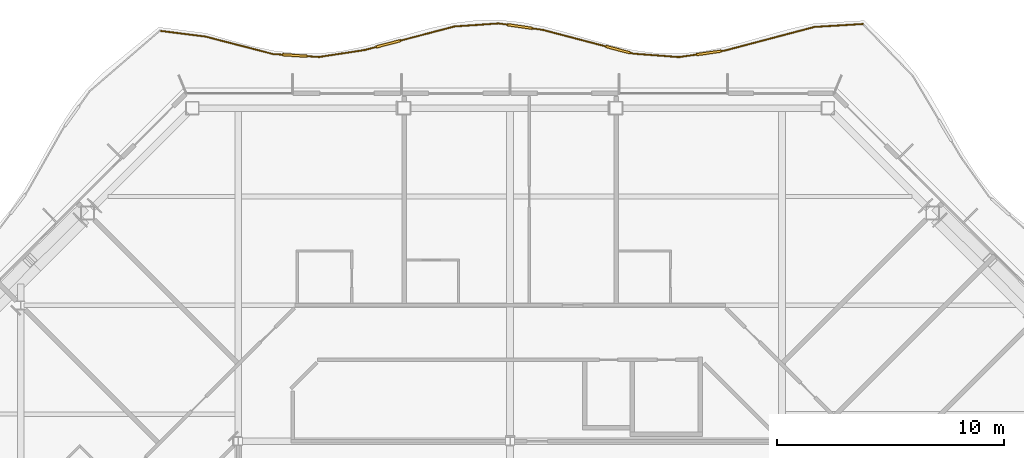
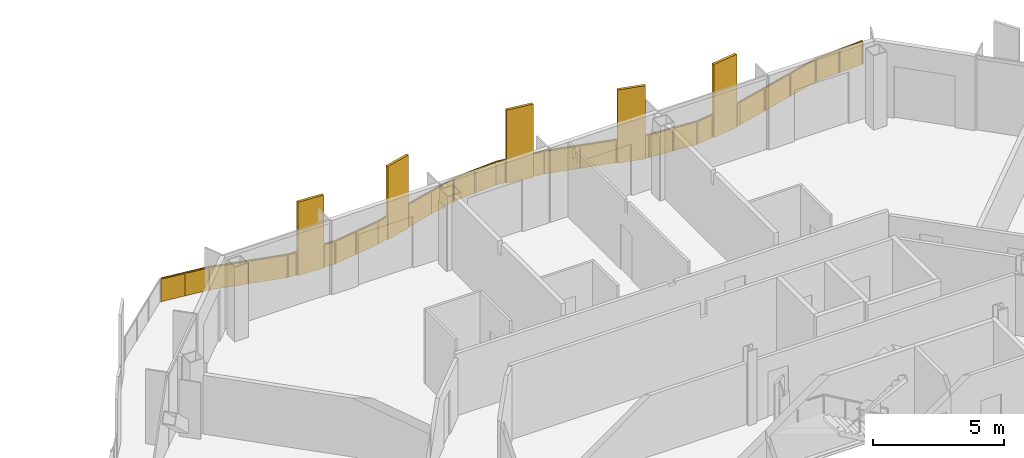
# One storey, part 20 of 21: 1 railing.
"""IFC4 building model written with IfcOpenShell, lengths in metres."""

import ifcopenshell
import ifcopenshell.guid

model = None  # the IFC model being written
_history = None  # IfcOwnerHistory: only IFC2X3 demands one
_inside = {}  # id of a spatial element -> (the spatial element, [elements in it])
_under = {}  # id of a project, library or spatial element -> (it, [spatial elements below it])
_declared = {}  # id of a project -> (the project, [libraries it declares])
_typed = {}  # id of a type object -> (the type object, [elements of that type])
_made_of = {}  # id of a material, layer set ... -> (it, [elements and type objects made of it])


def new_model(schema):
    """Start an empty IFC model of exactly this schema.

    Asked for "IFC4X3", IfcOpenShell would pick the latest addendum, in which some entities
    have other attributes; the version numbers below select the first issue.
    IFC2X3 requires an IfcOwnerHistory on every rooted entity: one is made here for all.
    """
    global model, _history
    if schema == "IFC4X3":
        model = ifcopenshell.file(schema_version=(4, 3, 0, 0))
    else:
        model = ifcopenshell.file(schema=schema)
    _inside.clear()
    _under.clear()
    _declared.clear()
    _typed.clear()
    _made_of.clear()
    _history = None
    if model.schema == "IFC2X3":
        org = make("IfcOrganization", Name="unknown")
        user = make(
            "IfcPersonAndOrganization",
            ThePerson=make("IfcPerson", FamilyName="unknown"),
            TheOrganization=org,
        )
        app = make(
            "IfcApplication",
            ApplicationDeveloper=org,
            Version="unknown",
            ApplicationFullName="unknown",
            ApplicationIdentifier="unknown",
        )
        _history = make(
            "IfcOwnerHistory",
            OwningUser=user,
            OwningApplication=app,
            ChangeAction="ADDED",
            CreationDate=0,
        )
    return model


def make(cls, **values):
    """One entity of the class cls with the attributes given. An attribute that is None is left unset."""
    return model.create_entity(
        cls, **{name: value for name, value in values.items() if value is not None}
    )


def rooted(cls, **values):
    """An entity with a GlobalId (a new one), such as an element, a storey or a relation."""
    return make(cls, GlobalId=ifcopenshell.guid.new(), OwnerHistory=_history, **values)


def si_unit(unit_type, name, prefix=None):
    """IfcSIUnit, for example si_unit("LENGTHUNIT", "METRE", prefix="MILLI")."""
    return make("IfcSIUnit", UnitType=unit_type, Prefix=prefix, Name=name)


def assignment(units):
    """IfcUnitAssignment: the units of a project."""
    return None if units is None else make("IfcUnitAssignment", Units=units)


def point(xyz):
    """IfcCartesianPoint."""
    return None if xyz is None else make("IfcCartesianPoint", Coordinates=xyz)


def direction(xyz):
    """IfcDirection."""
    return None if xyz is None else make("IfcDirection", DirectionRatios=xyz)


def frame(location, z_axis=None, x_axis=None):
    """IfcAxis2Placement3D, a coordinate frame: its origin and axes. An axis left out is left unset."""
    return make(
        "IfcAxis2Placement3D",
        Location=point(location),
        Axis=direction(z_axis),
        RefDirection=direction(x_axis),
    )


def frame_2d(location, x_axis=None):
    """IfcAxis2Placement2D, a coordinate frame in the plane: its origin and x axis."""
    return make(
        "IfcAxis2Placement2D", Location=point(location), RefDirection=direction(x_axis)
    )


def origin():
    """The frame at (0, 0, 0) with its axes left unset."""
    return frame((0.0, 0.0, 0.0))


def origin_2d():
    """The frame at (0, 0) in the plane with its x axis left unset."""
    return frame_2d((0.0, 0.0))


def place(relative_to, where):
    """IfcLocalPlacement: puts the frame where relative to a parent placement (None: the world)."""
    return make(
        "IfcLocalPlacement", PlacementRelTo=relative_to, RelativePlacement=where
    )


def context(
    kind, dimensions, precision=None, world=None, true_north=None, identifier=None
):
    """IfcGeometricRepresentationContext, for example the 3D "Model" context."""
    return make(
        "IfcGeometricRepresentationContext",
        ContextIdentifier=identifier,
        ContextType=kind,
        CoordinateSpaceDimension=dimensions,
        Precision=precision,
        WorldCoordinateSystem=world,
        TrueNorth=true_north,
    )


def subcontext(parent, identifier, kind, view, scale=None):
    """IfcGeometricRepresentationSubContext, for example "Body" below "Model"."""
    return make(
        "IfcGeometricRepresentationSubContext",
        ContextIdentifier=identifier,
        ContextType=kind,
        ParentContext=parent,
        TargetScale=scale,
        TargetView=view,
    )


def project(units=None, contexts=None):
    """IfcProject with its units and contexts."""
    return rooted(
        "IfcProject",
        Name="project",
        RepresentationContexts=contexts,
        UnitsInContext=assignment(units),
    )


def spatial(cls, under=None, at=None, **own):
    """A site, building, storey or space (cls), placed at a placement, below another one or the project."""
    s = rooted(cls, ObjectPlacement=at, **own)
    if under is not None:
        _under.setdefault(under.id(), (under, []))[1].append(s)
    return s


def polyline(points):
    """IfcPolyline through the points."""
    return make("IfcPolyline", Points=[point(p) for p in points])


def profile(cls, at=None, kind="AREA", **sizes):
    """A parametric profile (cls). Its sizes go by their IFC names, for example OverallWidth=200.0."""
    return make(cls, ProfileType=kind, Position=at, **sizes)


def rectangle(**sizes):
    """IfcRectangleProfileDef."""
    return profile("IfcRectangleProfileDef", **sizes)


def outline(outer, holes=None, kind="AREA"):
    """IfcArbitraryClosedProfileDef: a profile drawn as a closed curve; with holes, ...WithVoids."""
    if holes is None:
        return make("IfcArbitraryClosedProfileDef", ProfileType=kind, OuterCurve=outer)
    return make(
        "IfcArbitraryProfileDefWithVoids",
        ProfileType=kind,
        OuterCurve=outer,
        InnerCurves=holes,
    )


def extrude(swept, where, along, depth):
    """IfcExtrudedAreaSolid: the profile swept, set in the frame where, extruded along a direction by depth."""
    return make(
        "IfcExtrudedAreaSolid",
        SweptArea=swept,
        Position=where,
        ExtrudedDirection=direction(along),
        Depth=depth,
    )


def shape(context_of_items, identifier, shape_type, items):
    """IfcShapeRepresentation: the items that make up one representation, for example the "Body"."""
    return make(
        "IfcShapeRepresentation",
        ContextOfItems=context_of_items,
        RepresentationIdentifier=identifier,
        RepresentationType=shape_type,
        Items=items,
    )


def material(Name=None, Category=None):
    """IfcMaterial."""
    return make("IfcMaterial", Name=Name, Category=Category)


def made_of(thing, what):
    """Note that an element or type object is made of a material, layer set ...; save() writes the relation."""
    if what is not None:
        _made_of.setdefault(what.id(), (what, []))[1].append(thing)
    return thing


def type_object(cls, material=None, **own):
    """A type object (cls), such as IfcWallType, which elements share."""
    return made_of(rooted(cls, **own), material)


def element(
    cls,
    number,
    at=None,
    inside=None,
    cuts=None,
    type_object=None,
    material=None,
    context=None,
    identifier="Body",
    shape_type=None,
    held_by="IfcProductDefinitionShape",
    body=None,
    shapes=None,
    **own,
):
    """One element of the class cls, such as IfcWall. Its Tag is "e" and its number.

    at: its placement. inside: the storey or other place that contains it. cuts: it is an
    opening in that element (IfcRelVoidsElement). A single representation is given by context,
    identifier, shape_type and body (its items); several are given by shapes. held_by: the class
    of the entity that holds the representations. save() writes the other relations.
    """
    e = rooted(cls, Tag="e%d" % number, ObjectPlacement=at, **own)
    if body is not None:
        shapes = [shape(context, identifier, shape_type, body)]
    if shapes is not None:
        e.Representation = make(held_by, Representations=shapes)
    if inside is not None:
        _inside.setdefault(inside.id(), (inside, []))[1].append(e)
    if cuts is not None:
        rooted(
            "IfcRelVoidsElement", RelatingBuildingElement=cuts, RelatedOpeningElement=e
        )
    if type_object is not None:
        _typed.setdefault(type_object.id(), (type_object, []))[1].append(e)
    return made_of(e, material)


def aggregate(whole, parts):
    """IfcRelAggregates: a whole, such as a stair, and the parts it consists of."""
    return rooted("IfcRelAggregates", RelatingObject=whole, RelatedObjects=parts)


def save(model, path):
    """Write the relations noted so far, then the file.

    IfcRelAggregates (storeys below a building ...), IfcRelContainedInSpatialStructure (elements
    in a storey), IfcRelDefinesByType, IfcRelAssociatesMaterial and IfcRelDeclares: one each for
    every whole, place, type object, material and project.
    """
    for whole, parts in _under.values():
        aggregate(whole, parts)
    for where, things in _inside.values():
        rooted(
            "IfcRelContainedInSpatialStructure",
            RelatedElements=things,
            RelatingStructure=where,
        )
    for kind, things in _typed.values():
        rooted("IfcRelDefinesByType", RelatedObjects=things, RelatingType=kind)
    for what, things in _made_of.values():
        rooted("IfcRelAssociatesMaterial", RelatedObjects=things, RelatingMaterial=what)
    for by, libraries in _declared.values():
        rooted("IfcRelDeclares", RelatingContext=by, RelatedDefinitions=libraries)
    model.write(path)


model = new_model("IFC4")

# Units and contexts
model_context = context("Model", 3, precision=1e-05, world=origin(), true_north=direction((0.0, 1.0)))
body_context = subcontext(model_context, "Body", "Model", "MODEL_VIEW")
ifc_project = project(units=[si_unit("LENGTHUNIT", "METRE"), si_unit("AREAUNIT", "SQUARE_METRE"), si_unit("VOLUMEUNIT", "CUBIC_METRE"), si_unit("PLANEANGLEUNIT", "RADIAN"), si_unit("MASSUNIT", "GRAM", prefix="KILO")], contexts=[model_context])

# Site, building, storey
site_placement = place(None, origin())
site = spatial("IfcSite", under=ifc_project, at=site_placement, CompositionType="ELEMENT")
building_placement = place(site_placement, origin())
building = spatial("IfcBuilding", under=site, at=building_placement, Name="Cairn Pilgrim Tower", CompositionType="ELEMENT")
storey_placement = place(building_placement, frame((0.0, 0.0, 154.199951171875)))
storey = spatial("IfcBuildingStorey", under=building, at=storey_placement, Name="L38", CompositionType="ELEMENT", Elevation=154.199951171875)

# Railing
ifc_material = material(Name="Bronze anodised aluminium rail, posts and fin screens with laminated glass infill", Category="aluminium")
railing_type = type_object("IfcRailingType", Name="BALCONY GUARD WITH FIN SCREENS", PredefinedType="GUARDRAIL", material=ifc_material)
railing_placement = place(storey_placement, frame((22.769775390625, 31.615478515625, 0.0)))
element("IfcRailing", 1, at=railing_placement, inside=storey, type_object=railing_type, Name="Balcony guard BGF-5 with fin screens", PredefinedType="GUARDRAIL", context=body_context, shape_type="SweptSolid", body=[
    extrude(rectangle(XDim=0.050048828125, YDim=0.050048828125, at=origin_2d()), frame((0.0, 0.0, 1.0751953125), z_axis=(-0.998175161899, -0.060384982971, 0.0), x_axis=(0.060384982971, -0.998175161899, 0.0)), (0.0, 0.0, 1.0), 2.142822265625),
    extrude(rectangle(XDim=0.050048828125, YDim=0.050048828125, at=origin_2d()), frame((-2.138916015625, -0.12939453125, 1.0751953125), z_axis=(-0.966920951594, -0.255076210902, 0.0), x_axis=(0.255076210902, -0.966920951594, 0.0)), (0.0, 0.0, 1.0), 4.102294921875),
    extrude(rectangle(XDim=1.10009765625, YDim=0.110107421875, at=origin_2d()), frame((-6.798583984375, -1.27392578125, 0.0), z_axis=(0.0, 0.0, 1.0), x_axis=(-0.990128996634, -0.140159088269, 0.0)), (0.0, 0.0, 1.0), 3.39990234375),
    extrude(rectangle(XDim=0.050048828125, YDim=0.050048828125, at=origin_2d()), frame((-6.10546875, -1.17578125, 1.0751953125), z_axis=(-0.990128996634, -0.140159088269, 0.0), x_axis=(0.140159088269, -0.990128996634, 0.0)), (0.0, 0.0, 1.0), 0.150146484375),
    extrude(rectangle(XDim=0.050048828125, YDim=0.050048828125, at=origin_2d()), frame((-7.34326171875, -1.35107421875, 1.0751953125), z_axis=(-0.990128996634, -0.140159088269, 0.0), x_axis=(0.140159088269, -0.990128996634, 0.0)), (0.0, 0.0, 1.0), 0.781005859375),
    extrude(rectangle(XDim=0.050048828125, YDim=0.050048828125, at=origin_2d()), frame((-8.116455078125, -1.46044921875, 1.0751953125), z_axis=(-0.997184430515, 0.074988075969, 0.0), x_axis=(-0.074988075969, -0.997184430515, 0.0)), (0.0, 0.0, 1.0), 2.021728515625),
    extrude(rectangle(XDim=1.10009765625, YDim=0.110107421875, at=origin_2d()), frame((-10.8095703125, -1.130615234375, 0.0), z_axis=(0.0, 0.0, 1.0), x_axis=(-0.967094526018, 0.254417329887, 0.0)), (0.0, 0.0, 1.0), 3.39990234375),
    extrude(rectangle(XDim=0.050048828125, YDim=0.050048828125, at=origin_2d()), frame((-10.132568359375, -1.308837890625, 1.0751953125), z_axis=(-0.967094526018, 0.254417329887, 0.0), x_axis=(-0.254417329887, -0.967094526018, 0.0)), (0.0, 0.0, 1.0), 0.150146484375),
    extrude(rectangle(XDim=0.050048828125, YDim=0.050048828125, at=origin_2d()), frame((-11.341552734375, -0.99072265625, 1.0751953125), z_axis=(-0.967094526018, 0.254417329887, 0.0), x_axis=(-0.254417329887, -0.967094526018, 0.0)), (0.0, 0.0, 1.0), 2.86279296875),
    extrude(rectangle(XDim=1.10009765625, YDim=0.110107421875, at=origin_2d()), frame((-15.13623046875, -0.11181640625, 0.0), z_axis=(0.0, 0.0, 1.0), x_axis=(-0.989390387637, 0.145281316253, 0.0)), (0.0, 0.0, 1.0), 3.39990234375),
    extrude(rectangle(XDim=0.050048828125, YDim=0.050048828125, at=origin_2d()), frame((-14.110107421875, -0.262451171875, 1.0751953125), z_axis=(-0.989390387637, 0.145281316253, 0.0), x_axis=(-0.145281316253, -0.989390387637, 0.0)), (0.0, 0.0, 1.0), 0.487060546875),
    extrude(rectangle(XDim=0.050048828125, YDim=0.050048828125, at=origin_2d()), frame((-15.68017578125, -0.031982421875, 1.0751953125), z_axis=(-0.989390387637, 0.145281316253, 0.0), x_axis=(-0.145281316253, -0.989390387637, 0.0)), (0.0, 0.0, 1.0), 0.39599609375),
    extrude(rectangle(XDim=0.050048828125, YDim=0.050048828125, at=origin_2d()), frame((-16.072021484375, 0.025634765625, 1.0751953125), z_axis=(-0.997626495598, -0.068857645041, 0.0), x_axis=(0.068857645041, -0.997626495598, 0.0)), (0.0, 0.0, 1.0), 1.960693359375),
    extrude(rectangle(XDim=1.10009765625, YDim=0.110107421875, at=origin_2d()), frame((-20.944580078125, -0.874267578125, 0.0), z_axis=(0.0, 0.0, 1.0), x_axis=(-0.967287049179, -0.253684379673, 0.0)), (0.0, 0.0, 1.0), 3.39990234375),
    extrude(rectangle(XDim=0.050048828125, YDim=0.050048828125, at=origin_2d()), frame((-18.028076171875, -0.109375, 1.0751953125), z_axis=(-0.967287049179, -0.253684379673, 0.0), x_axis=(0.253684379673, -0.967287049179, 0.0)), (0.0, 0.0, 1.0), 2.465087890625),
    extrude(rectangle(XDim=0.050048828125, YDim=0.050048828125, at=origin_2d()), frame((-21.4765625, -1.013671875, 1.0751953125), z_axis=(-0.967287049179, -0.253684379673, 0.0), x_axis=(0.253684379673, -0.967287049179, 0.0)), (0.0, 0.0, 1.0), 0.53564453125),
    extrude(rectangle(XDim=0.050048828125, YDim=0.050048828125, at=origin_2d()), frame((-21.99462890625, -1.149658203125, 1.0751953125), z_axis=(-0.988613400571, -0.150477719985, 0.0), x_axis=(0.150477719985, -0.988613400571, 0.0)), (0.0, 0.0, 1.0), 2.032958984375),
    extrude(rectangle(XDim=1.10009765625, YDim=0.110107421875, at=origin_2d()), frame((-25.064208984375, -1.388671875, 0.0), z_axis=(0.0, 0.0, 1.0), x_axis=(-0.998016684323, 0.062949962776, 0.0)), (0.0, 0.0, 1.0), 3.39990234375),
    extrude(rectangle(XDim=0.050048828125, YDim=0.050048828125, at=origin_2d()), frame((-24.00439453125, -1.45556640625, 1.0751953125), z_axis=(-0.998016684323, 0.062949962776, 0.0), x_axis=(-0.062949962776, -0.998016684323, 0.0)), (0.0, 0.0, 1.0), 0.51171875),
    extrude(rectangle(XDim=0.050048828125, YDim=0.050048828125, at=origin_2d()), frame((-25.613037109375, -1.35400390625, 1.0751953125), z_axis=(-0.998016684323, 0.062949962776, 0.0), x_axis=(-0.062949962776, -0.998016684323, 0.0)), (0.0, 0.0, 1.0), 0.40869140625),
    extrude(rectangle(XDim=0.050048828125, YDim=0.050048828125, at=origin_2d()), frame((-26.02099609375, -1.328369140625, 1.0751953125), z_axis=(-0.968130026635, 0.250448101466, 0.0), x_axis=(-0.250448101466, -0.968130026635, 0.0)), (0.0, 0.0, 1.0), 3.082275390625),
    extrude(rectangle(XDim=0.050048828125, YDim=0.050048828125, at=origin_2d()), frame((-29.005126953125, -0.556396484375, 1.0751953125), z_axis=(-0.992006328004, 0.126188134146, 0.0), x_axis=(-0.126188134146, -0.992006328004, 0.0)), (0.0, 0.0, 1.0), 1.981201171875),
    extrude(rectangle(XDim=0.050048828125, YDim=0.050048828125, at=origin_2d()), origin(), (0.0, 0.0, 1.0), 1.050048828125),
    extrude(rectangle(XDim=0.050048828125, YDim=0.050048828125, at=origin_2d()), frame((-1.0693359375, -0.064697265625, 0.0)), (0.0, 0.0, 1.0), 1.050048828125),
    extrude(rectangle(XDim=0.050048828125, YDim=0.050048828125, at=origin_2d()), frame((-2.138916015625, -0.12939453125, 0.0)), (0.0, 0.0, 1.0), 1.050048828125),
    extrude(rectangle(XDim=0.050048828125, YDim=0.050048828125, at=origin_2d()), frame((-3.461181640625, -0.478271484375, 0.0)), (0.0, 0.0, 1.0), 1.050048828125),
    extrude(rectangle(XDim=0.050048828125, YDim=0.050048828125, at=origin_2d()), frame((-4.783203125, -0.826904296875, 0.0)), (0.0, 0.0, 1.0), 1.050048828125),
    extrude(rectangle(XDim=0.050048828125, YDim=0.050048828125, at=origin_2d()), frame((-6.10546875, -1.17578125, 0.0)), (0.0, 0.0, 1.0), 1.050048828125),
    extrude(rectangle(XDim=0.050048828125, YDim=0.050048828125, at=origin_2d()), frame((-6.229248046875, -1.193359375, 0.0)), (0.0, 0.0, 1.0), 1.050048828125),
    extrude(rectangle(XDim=0.050048828125, YDim=0.050048828125, at=origin_2d()), frame((-7.367919921875, -1.3544921875, 0.0)), (0.0, 0.0, 1.0), 1.050048828125),
    extrude(rectangle(XDim=0.050048828125, YDim=0.050048828125, at=origin_2d()), frame((-8.116455078125, -1.46044921875, 0.0)), (0.0, 0.0, 1.0), 1.050048828125),
    extrude(rectangle(XDim=0.050048828125, YDim=0.050048828125, at=origin_2d()), frame((-9.12451171875, -1.384765625, 0.0)), (0.0, 0.0, 1.0), 1.050048828125),
    extrude(rectangle(XDim=0.050048828125, YDim=0.050048828125, at=origin_2d()), frame((-10.132568359375, -1.308837890625, 0.0)), (0.0, 0.0, 1.0), 1.050048828125),
    extrude(rectangle(XDim=0.050048828125, YDim=0.050048828125, at=origin_2d()), frame((-10.25341796875, -1.277099609375, 0.0)), (0.0, 0.0, 1.0), 1.050048828125),
    extrude(rectangle(XDim=0.050048828125, YDim=0.050048828125, at=origin_2d()), frame((-11.36572265625, -0.984375, 0.0)), (0.0, 0.0, 1.0), 1.050048828125),
    extrude(rectangle(XDim=0.050048828125, YDim=0.050048828125, at=origin_2d()), frame((-12.73779296875, -0.62353515625, 0.0)), (0.0, 0.0, 1.0), 1.050048828125),
    extrude(rectangle(XDim=0.050048828125, YDim=0.050048828125, at=origin_2d()), frame((-14.110107421875, -0.262451171875, 0.0)), (0.0, 0.0, 1.0), 1.050048828125),
    extrude(rectangle(XDim=0.050048828125, YDim=0.050048828125, at=origin_2d()), frame((-14.567138671875, -0.1953125, 0.0)), (0.0, 0.0, 1.0), 1.050048828125),
    extrude(rectangle(XDim=0.050048828125, YDim=0.050048828125, at=origin_2d()), frame((-15.705078125, -0.0283203125, 0.0)), (0.0, 0.0, 1.0), 1.050048828125),
    extrude(rectangle(XDim=0.050048828125, YDim=0.050048828125, at=origin_2d()), frame((-16.072021484375, 0.025634765625, 0.0)), (0.0, 0.0, 1.0), 1.050048828125),
    extrude(rectangle(XDim=0.050048828125, YDim=0.050048828125, at=origin_2d()), frame((-17.050048828125, -0.0419921875, 0.0)), (0.0, 0.0, 1.0), 1.050048828125),
    extrude(rectangle(XDim=0.050048828125, YDim=0.050048828125, at=origin_2d()), frame((-18.028076171875, -0.109375, 0.0)), (0.0, 0.0, 1.0), 1.050048828125),
    extrude(rectangle(XDim=0.050048828125, YDim=0.050048828125, at=origin_2d()), frame((-19.208251953125, -0.4189453125, 0.0)), (0.0, 0.0, 1.0), 1.050048828125),
    extrude(rectangle(XDim=0.050048828125, YDim=0.050048828125, at=origin_2d()), frame((-20.38818359375, -0.728271484375, 0.0)), (0.0, 0.0, 1.0), 1.050048828125),
    extrude(rectangle(XDim=0.050048828125, YDim=0.050048828125, at=origin_2d()), frame((-21.500732421875, -1.02001953125, 0.0)), (0.0, 0.0, 1.0), 1.050048828125),
    extrude(rectangle(XDim=0.050048828125, YDim=0.050048828125, at=origin_2d()), frame((-21.99462890625, -1.149658203125, 0.0)), (0.0, 0.0, 1.0), 1.050048828125),
    extrude(rectangle(XDim=0.050048828125, YDim=0.050048828125, at=origin_2d()), frame((-22.99951171875, -1.302734375, 0.0)), (0.0, 0.0, 1.0), 1.050048828125),
    extrude(rectangle(XDim=0.050048828125, YDim=0.050048828125, at=origin_2d()), frame((-24.00439453125, -1.45556640625, 0.0)), (0.0, 0.0, 1.0), 1.050048828125),
    extrude(rectangle(XDim=0.050048828125, YDim=0.050048828125, at=origin_2d()), frame((-24.490234375, -1.4248046875, 0.0)), (0.0, 0.0, 1.0), 1.050048828125),
    extrude(rectangle(XDim=0.050048828125, YDim=0.050048828125, at=origin_2d()), frame((-25.637939453125, -1.3525390625, 0.0)), (0.0, 0.0, 1.0), 1.050048828125),
    extrude(rectangle(XDim=0.050048828125, YDim=0.050048828125, at=origin_2d()), frame((-26.02099609375, -1.328369140625, 0.0)), (0.0, 0.0, 1.0), 1.050048828125),
    extrude(rectangle(XDim=0.050048828125, YDim=0.050048828125, at=origin_2d()), frame((-27.51318359375, -0.9423828125, 0.0)), (0.0, 0.0, 1.0), 1.050048828125),
    extrude(rectangle(XDim=0.050048828125, YDim=0.050048828125, at=origin_2d()), frame((-29.005126953125, -0.556396484375, 0.0)), (0.0, 0.0, 1.0), 1.050048828125),
    extrude(rectangle(XDim=0.050048828125, YDim=0.050048828125, at=origin_2d()), frame((-29.98779296875, -0.431396484375, 0.0)), (0.0, 0.0, 1.0), 1.050048828125),
    extrude(rectangle(XDim=0.050048828125, YDim=0.050048828125, at=origin_2d()), frame((-30.970458984375, -0.306396484375, 0.0)), (0.0, 0.0, 1.0), 1.050048828125),
    extrude(outline(polyline([(0.02490234375, 0.0), (1.04638671875, 0.0), (1.04638671875, 1.050048828125), (0.02490234375, 1.050048828125), (0.02490234375, 0.0)])), frame((0.000244140625, -0.005859375, 0.0), z_axis=(-0.060384982971, 0.998175161899, 0.0), x_axis=(-0.998175161899, -0.060384982971, 0.0)), (0.0, 0.0, 1.0), 0.011962890625),
    extrude(outline(polyline([(0.02490234375, 0.0), (1.04638671875, 0.0), (1.04638671875, 1.050048828125), (0.02490234375, 1.050048828125), (0.02490234375, 0.0)])), frame((-1.069091796875, -0.070556640625, 0.0), z_axis=(-0.060384982971, 0.998175161899, 0.0), x_axis=(-0.998175161899, -0.060384982971, 0.0)), (0.0, 0.0, 1.0), 0.011962890625),
    extrude(outline(polyline([(0.02490234375, 0.0), (1.34228515625, 0.0), (1.34228515625, 1.050048828125), (0.02490234375, 1.050048828125), (0.02490234375, 0.0)])), frame((-2.137451171875, -0.13525390625, 0.0), z_axis=(-0.255076210902, 0.966920951594, 0.0), x_axis=(-0.966920951594, -0.255076210902, 0.0)), (0.0, 0.0, 1.0), 0.011962890625),
    extrude(outline(polyline([(0.02490234375, 0.0), (1.34228515625, 0.0), (1.34228515625, 1.050048828125), (0.02490234375, 1.050048828125), (0.02490234375, 0.0)])), frame((-3.45947265625, -0.48388671875, 0.0), z_axis=(-0.255076210902, 0.966920951594, 0.0), x_axis=(-0.966920951594, -0.255076210902, 0.0)), (0.0, 0.0, 1.0), 0.011962890625),
    extrude(outline(polyline([(0.02490234375, 0.0), (1.34228515625, 0.0), (1.34228515625, 1.050048828125), (0.02490234375, 1.050048828125), (0.02490234375, 0.0)])), frame((-4.78173828125, -0.832763671875, 0.0), z_axis=(-0.255076210902, 0.966920951594, 0.0), x_axis=(-0.966920951594, -0.255076210902, 0.0)), (0.0, 0.0, 1.0), 0.011962890625),
    extrude(outline(polyline([(0.02490234375, 0.0), (0.10009765625, 0.0), (0.10009765625, 1.050048828125), (0.02490234375, 1.050048828125), (0.02490234375, 0.0)])), frame((-6.104736328125, -1.181640625, 0.0), z_axis=(-0.140159088269, 0.990128996634, 0.0), x_axis=(-0.990128996634, -0.140159088269, 0.0)), (0.0, 0.0, 1.0), 0.011962890625),
    extrude(outline(polyline([(0.02490234375, 0.0), (0.73095703125, 0.0), (0.73095703125, 1.050048828125), (0.02490234375, 1.050048828125), (0.02490234375, 0.0)])), frame((-7.3671875, -1.3603515625, 0.0), z_axis=(-0.140159088269, 0.990128996634, 0.0), x_axis=(-0.990128996634, -0.140159088269, 0.0)), (0.0, 0.0, 1.0), 0.011962890625),
    extrude(outline(polyline([(0.02490234375, 0.0), (0.98583984375, 0.0), (0.98583984375, 1.050048828125), (0.02490234375, 1.050048828125), (0.02490234375, 0.0)])), frame((-8.116943359375, -1.46630859375, 0.0), z_axis=(0.074988075969, 0.997184430515, 0.0), x_axis=(-0.997184430515, 0.074988075969, 0.0)), (0.0, 0.0, 1.0), 0.011962890625),
    extrude(outline(polyline([(0.02490234375, 0.0), (0.98583984375, 0.0), (0.98583984375, 1.050048828125), (0.02490234375, 1.050048828125), (0.02490234375, 0.0)])), frame((-9.125, -1.390625, 0.0), z_axis=(0.074988075969, 0.997184430515, 0.0), x_axis=(-0.997184430515, 0.074988075969, 0.0)), (0.0, 0.0, 1.0), 0.011962890625),
    extrude(outline(polyline([(0.02490234375, 0.0), (0.10009765625, 0.0), (0.10009765625, 1.050048828125), (0.02490234375, 1.050048828125), (0.02490234375, 0.0)])), frame((-10.134033203125, -1.314697265625, 0.0), z_axis=(0.254417329887, 0.967094526018, 0.0), x_axis=(-0.967094526018, 0.254417329887, 0.0)), (0.0, 0.0, 1.0), 0.011962890625),
    extrude(outline(polyline([(0.02490234375, 0.0), (1.393798828125, 0.0), (1.393798828125, 1.050048828125), (0.02490234375, 1.050048828125), (0.02490234375, 0.0)])), frame((-11.3671875, -0.990234375, 0.0), z_axis=(0.254417329887, 0.967094526018, 0.0), x_axis=(-0.967094526018, 0.254417329887, 0.0)), (0.0, 0.0, 1.0), 0.011962890625),
    extrude(outline(polyline([(0.02490234375, 0.0), (1.393798828125, 0.0), (1.393798828125, 1.050048828125), (0.02490234375, 1.050048828125), (0.02490234375, 0.0)])), frame((-12.739501953125, -0.629150390625, 0.0), z_axis=(0.254417329887, 0.967094526018, 0.0), x_axis=(-0.967094526018, 0.254417329887, 0.0)), (0.0, 0.0, 1.0), 0.011962890625),
    extrude(outline(polyline([(0.02490234375, 0.0), (0.43701171875, 0.0), (0.43701171875, 1.050048828125), (0.02490234375, 1.050048828125), (0.02490234375, 0.0)])), frame((-14.111083984375, -0.268310546875, 0.0), z_axis=(0.145281316253, 0.989390387637, 0.0), x_axis=(-0.989390387637, 0.145281316253, 0.0)), (0.0, 0.0, 1.0), 0.011962890625),
    extrude(outline(polyline([(0.02490234375, 0.0), (0.345947265625, 0.0), (0.345947265625, 1.050048828125), (0.02490234375, 1.050048828125), (0.02490234375, 0.0)])), frame((-15.705810546875, -0.0341796875, 0.0), z_axis=(0.145281316253, 0.989390387637, 0.0), x_axis=(-0.989390387637, 0.145281316253, 0.0)), (0.0, 0.0, 1.0), 0.011962890625),
    extrude(outline(polyline([(0.02490234375, 0.0), (0.955322265625, 0.0), (0.955322265625, 1.050048828125), (0.02490234375, 1.050048828125), (0.02490234375, 0.0)])), frame((-16.071533203125, 0.019775390625, 0.0), z_axis=(-0.068857645041, 0.997626495598, 0.0), x_axis=(-0.997626495598, -0.068857645041, 0.0)), (0.0, 0.0, 1.0), 0.011962890625),
    extrude(outline(polyline([(0.02490234375, 0.0), (0.955322265625, 0.0), (0.955322265625, 1.050048828125), (0.02490234375, 1.050048828125), (0.02490234375, 0.0)])), frame((-17.049560546875, -0.0478515625, 0.0), z_axis=(-0.068857645041, 0.997626495598, 0.0), x_axis=(-0.997626495598, -0.068857645041, 0.0)), (0.0, 0.0, 1.0), 0.011962890625),
    extrude(outline(polyline([(0.02490234375, 0.0), (1.195068359375, 0.0), (1.195068359375, 1.050048828125), (0.02490234375, 1.050048828125), (0.02490234375, 0.0)])), frame((-18.026611328125, -0.115234375, 0.0), z_axis=(-0.253684379673, 0.967287049179, 0.0), x_axis=(-0.967287049179, -0.253684379673, 0.0)), (0.0, 0.0, 1.0), 0.011962890625),
    extrude(outline(polyline([(0.02490234375, 0.0), (1.195068359375, 0.0), (1.195068359375, 1.050048828125), (0.02490234375, 1.050048828125), (0.02490234375, 0.0)])), frame((-19.20654296875, -0.424560546875, 0.0), z_axis=(-0.253684379673, 0.967287049179, 0.0), x_axis=(-0.967287049179, -0.253684379673, 0.0)), (0.0, 0.0, 1.0), 0.011962890625),
    extrude(outline(polyline([(0.02490234375, 0.0), (0.485595703125, 0.0), (0.485595703125, 1.050048828125), (0.02490234375, 1.050048828125), (0.02490234375, 0.0)])), frame((-21.499267578125, -1.02587890625, 0.0), z_axis=(-0.253684379673, 0.967287049179, 0.0), x_axis=(-0.967287049179, -0.253684379673, 0.0)), (0.0, 0.0, 1.0), 0.011962890625),
    extrude(outline(polyline([(0.02490234375, 0.0), (0.991455078125, 0.0), (0.991455078125, 1.050048828125), (0.02490234375, 1.050048828125), (0.02490234375, 0.0)])), frame((-21.99365234375, -1.155517578125, 0.0), z_axis=(-0.150477719985, 0.988613400571, 0.0), x_axis=(-0.988613400571, -0.150477719985, 0.0)), (0.0, 0.0, 1.0), 0.011962890625),
    extrude(outline(polyline([(0.02490234375, 0.0), (0.991455078125, 0.0), (0.991455078125, 1.050048828125), (0.02490234375, 1.050048828125), (0.02490234375, 0.0)])), frame((-22.99853515625, -1.30859375, 0.0), z_axis=(-0.150477719985, 0.988613400571, 0.0), x_axis=(-0.988613400571, -0.150477719985, 0.0)), (0.0, 0.0, 1.0), 0.011962890625),
    extrude(outline(polyline([(0.02490234375, 0.0), (0.461669921875, 0.0), (0.461669921875, 1.050048828125), (0.02490234375, 1.050048828125), (0.02490234375, 0.0)])), frame((-24.0048828125, -1.46142578125, 0.0), z_axis=(0.062949962776, 0.998016684323, 0.0), x_axis=(-0.998016684323, 0.062949962776, 0.0)), (0.0, 0.0, 1.0), 0.011962890625),
    extrude(outline(polyline([(0.02490234375, 0.0), (0.358642578125, 0.0), (0.358642578125, 1.050048828125), (0.02490234375, 1.050048828125), (0.02490234375, 0.0)])), frame((-25.638427734375, -1.3583984375, 0.0), z_axis=(0.062949962776, 0.998016684323, 0.0), x_axis=(-0.998016684323, 0.062949962776, 0.0)), (0.0, 0.0, 1.0), 0.011962890625),
    extrude(outline(polyline([(0.02490234375, 0.0), (1.51611328125, 0.0), (1.51611328125, 1.050048828125), (0.02490234375, 1.050048828125), (0.02490234375, 0.0)])), frame((-26.0224609375, -1.334228515625, 0.0), z_axis=(0.250448101466, 0.968130026635, 0.0), x_axis=(-0.968130026635, 0.250448101466, 0.0)), (0.0, 0.0, 1.0), 0.011962890625),
    extrude(outline(polyline([(0.02490234375, 0.0), (1.51611328125, 0.0), (1.51611328125, 1.050048828125), (0.02490234375, 1.050048828125), (0.02490234375, 0.0)])), frame((-27.5146484375, -0.9482421875, 0.0), z_axis=(0.250448101466, 0.968130026635, 0.0), x_axis=(-0.968130026635, 0.250448101466, 0.0)), (0.0, 0.0, 1.0), 0.011962890625),
    extrude(outline(polyline([(0.02490234375, 0.0), (0.965576171875, 0.0), (0.965576171875, 1.050048828125), (0.02490234375, 1.050048828125), (0.02490234375, 0.0)])), frame((-29.005859375, -0.562255859375, 0.0), z_axis=(0.126188134146, 0.992006328004, 0.0), x_axis=(-0.992006328004, 0.126188134146, 0.0)), (0.0, 0.0, 1.0), 0.011962890625),
    extrude(outline(polyline([(0.02490234375, 0.0), (0.965576171875, 0.0), (0.965576171875, 1.050048828125), (0.02490234375, 1.050048828125), (0.02490234375, 0.0)])), frame((-29.988525390625, -0.437255859375, 0.0), z_axis=(0.126188134146, 0.992006328004, 0.0), x_axis=(-0.992006328004, 0.126188134146, 0.0)), (0.0, 0.0, 1.0), 0.011962890625),
])

save(model, "model.ifc")
